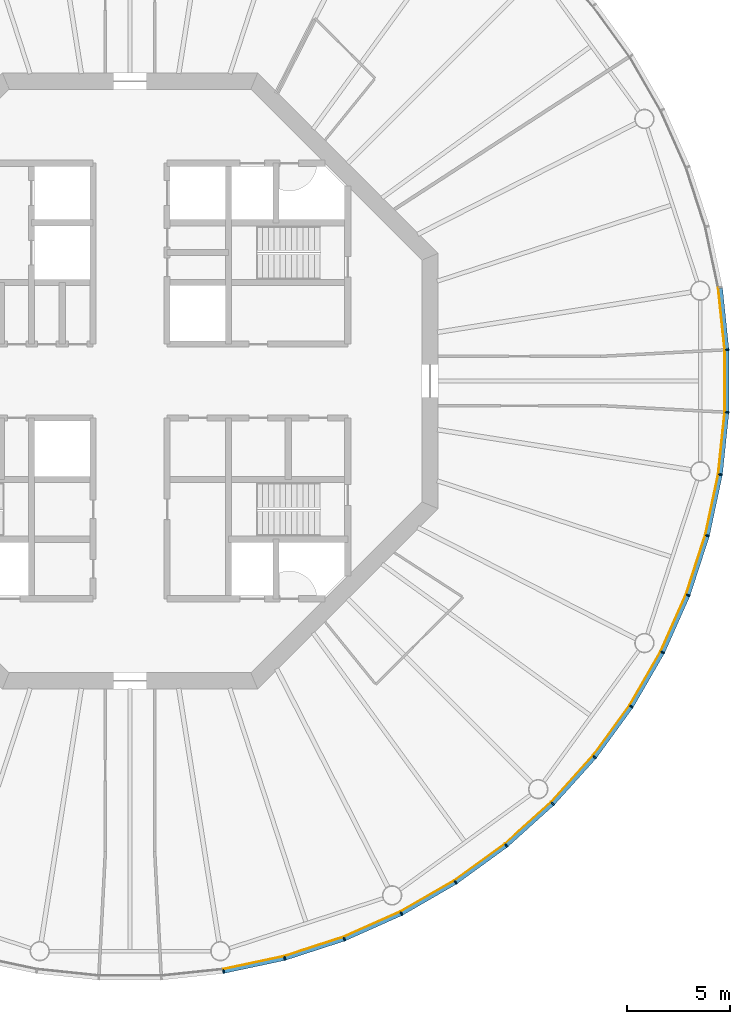
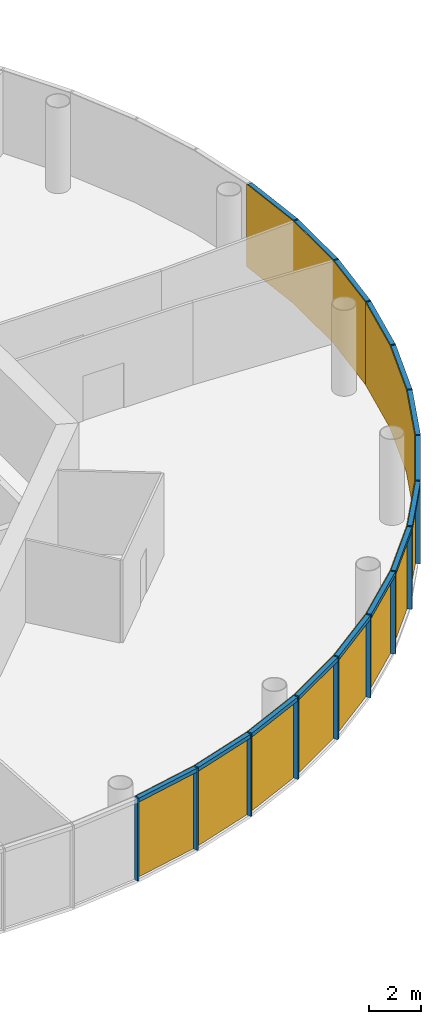
# One storey, part 9 of 13: 30 members, 5 curtain walls.
"""IFC4 building model written with IfcOpenShell, lengths in metres."""

from ifc_helpers import new_model, si_unit, direction, frame, origin, origin_2d, place, context, subcontext, project, spatial, polyline, rectangle, outline, extrude, material, layer, layer_set, material_profile, profile_set, type_object, element, aggregate, save


model = new_model("IFC4")

# Units and contexts
model_context = context("Model", 3, precision=1e-05, world=origin(), true_north=direction((0.0, 1.0)))
body_context = subcontext(model_context, "Body", "Model", "MODEL_VIEW")
ifc_project = project(units=[si_unit("LENGTHUNIT", "METRE"), si_unit("AREAUNIT", "SQUARE_METRE"), si_unit("VOLUMEUNIT", "CUBIC_METRE"), si_unit("PLANEANGLEUNIT", "RADIAN"), si_unit("MASSUNIT", "GRAM", prefix="KILO")], contexts=[model_context])

# Member
ifc_material_1 = material(Name="Anodised aluminium", Category="aluminium")
ifc_material_profile_1 = material_profile(ifc_material_1, rectangle(XDim=0.06494140625, YDim=0.195068359375, at=origin_2d()), Name="Mullion 65 x 195 mm anodised aluminium")
ifc_profile_set_1 = profile_set([ifc_material_profile_1], Name="Anodised aluminium")
member_type_1 = type_object("IfcMemberType", Name="Mullion 65 x 195 mm anodised aluminium", PredefinedType="MULLION", material=ifc_profile_set_1)
site_placement = place(None, origin())
building_placement = place(site_placement, origin())
storey_placement = place(building_placement, frame((0.0, 0.0, 302.0)))
member_1_placement = place(storey_placement, frame((94.5517578125, 51.2607421875, 0.0), z_axis=(0.0, 0.0, 1.0), x_axis=(0.987688340595, 0.15643446504, 0.0)))
member_1 = element("IfcMember", 1, at=member_1_placement, type_object=member_type_1, Name="MULLION L69-45", PredefinedType="MULLION", context=body_context, shape_type="SweptSolid", body=[
    extrude(rectangle(XDim=0.06494140625, YDim=0.195068359375, at=origin_2d()), origin(), (0.0, 0.0, 1.0), 3.85009765625),
])

member_2_placement = place(storey_placement, frame((97.531005859375, 51.89404296875, 0.0), z_axis=(0.0, 0.0, 1.0), x_axis=(0.965925826289, 0.258819045103, 0.0)))
member_2 = element("IfcMember", 2, at=member_2_placement, type_object=member_type_1, Name="MULLION L69-46", PredefinedType="MULLION", context=body_context, shape_type="SweptSolid", body=[
    extrude(rectangle(XDim=0.06494140625, YDim=0.195068359375, at=origin_2d()), origin(), (0.0, 0.0, 1.0), 3.85009765625),
])

member_3_placement = place(storey_placement, frame((100.427490234375, 52.835205078125, 0.0), z_axis=(0.0, 0.0, 1.0), x_axis=(0.933580426497, 0.358367949545, 0.0)))
member_3 = element("IfcMember", 3, at=member_3_placement, type_object=member_type_1, Name="MULLION L69-47", PredefinedType="MULLION", context=body_context, shape_type="SweptSolid", body=[
    extrude(rectangle(XDim=0.06494140625, YDim=0.195068359375, at=origin_2d()), origin(), (0.0, 0.0, 1.0), 3.85009765625),
])

member_4_placement = place(storey_placement, frame((103.2099609375, 54.073974609375, 0.0), z_axis=(0.0, 0.0, 1.0), x_axis=(0.891006524188, 0.45399049974, 0.0)))
member_4 = element("IfcMember", 4, at=member_4_placement, type_object=member_type_1, Name="MULLION L69-48", PredefinedType="MULLION", context=body_context, shape_type="SweptSolid", body=[
    extrude(rectangle(XDim=0.06494140625, YDim=0.195068359375, at=origin_2d()), origin(), (0.0, 0.0, 1.0), 3.85009765625),
])

member_5_placement = place(storey_placement, frame((105.84765625, 55.5966796875, 0.0), z_axis=(0.0, 0.0, 1.0), x_axis=(0.838670567945, 0.544639035015, 0.0)))
member_5 = element("IfcMember", 5, at=member_5_placement, type_object=member_type_1, Name="MULLION L69-49", PredefinedType="MULLION", context=body_context, shape_type="SweptSolid", body=[
    extrude(rectangle(XDim=0.06494140625, YDim=0.195068359375, at=origin_2d()), origin(), (0.0, 0.0, 1.0), 3.85009765625),
])

member_6_placement = place(storey_placement, frame((108.311767578125, 57.386962890625, 0.0), z_axis=(0.0, 0.0, 1.0), x_axis=(0.777145961457, 0.62932039105, 0.0)))
member_6 = element("IfcMember", 6, at=member_6_placement, type_object=member_type_1, Name="MULLION L69-50", PredefinedType="MULLION", context=body_context, shape_type="SweptSolid", body=[
    extrude(rectangle(XDim=0.06494140625, YDim=0.195068359375, at=origin_2d()), origin(), (0.0, 0.0, 1.0), 3.85009765625),
])

member_7_placement = place(storey_placement, frame((110.574951171875, 59.425048828125, 0.0), z_axis=(0.0, 0.0, 1.0), x_axis=(0.707106781187, 0.707106781187, 0.0)))
member_7 = element("IfcMember", 7, at=member_7_placement, type_object=member_type_1, Name="MULLION L69-51", PredefinedType="MULLION", context=body_context, shape_type="SweptSolid", body=[
    extrude(rectangle(XDim=0.06494140625, YDim=0.195068359375, at=origin_2d()), origin(), (0.0, 0.0, 1.0), 3.85009765625),
])

member_8_placement = place(storey_placement, frame((112.613037109375, 61.688232421875, 0.0), z_axis=(0.0, 0.0, 1.0), x_axis=(0.62932039105, 0.777145961457, 0.0)))
member_8 = element("IfcMember", 8, at=member_8_placement, type_object=member_type_1, Name="MULLION L69-52", PredefinedType="MULLION", context=body_context, shape_type="SweptSolid", body=[
    extrude(rectangle(XDim=0.06494140625, YDim=0.195068359375, at=origin_2d()), origin(), (0.0, 0.0, 1.0), 3.85009765625),
])

member_9_placement = place(storey_placement, frame((114.4033203125, 64.15234375, 0.0), z_axis=(0.0, 0.0, 1.0), x_axis=(0.544639035015, 0.838670567945, 0.0)))
member_9 = element("IfcMember", 9, at=member_9_placement, type_object=member_type_1, Name="MULLION L69-53", PredefinedType="MULLION", context=body_context, shape_type="SweptSolid", body=[
    extrude(rectangle(XDim=0.06494140625, YDim=0.195068359375, at=origin_2d()), origin(), (0.0, 0.0, 1.0), 3.85009765625),
])

member_10_placement = place(storey_placement, frame((115.926025390625, 66.7900390625, 0.0), z_axis=(0.0, 0.0, 1.0), x_axis=(0.45399049974, 0.891006524188, 0.0)))
member_10 = element("IfcMember", 10, at=member_10_placement, type_object=member_type_1, Name="MULLION L69-54", PredefinedType="MULLION", context=body_context, shape_type="SweptSolid", body=[
    extrude(rectangle(XDim=0.06494140625, YDim=0.195068359375, at=origin_2d()), origin(), (0.0, 0.0, 1.0), 3.85009765625),
])

member_11_placement = place(storey_placement, frame((117.164794921875, 69.572509765625, 0.0), z_axis=(0.0, 0.0, 1.0), x_axis=(0.358367949545, 0.933580426497, 0.0)))
member_11 = element("IfcMember", 11, at=member_11_placement, type_object=member_type_1, Name="MULLION L69-55", PredefinedType="MULLION", context=body_context, shape_type="SweptSolid", body=[
    extrude(rectangle(XDim=0.06494140625, YDim=0.195068359375, at=origin_2d()), origin(), (0.0, 0.0, 1.0), 3.85009765625),
])

member_12_placement = place(storey_placement, frame((118.10595703125, 72.468994140625, 0.0), z_axis=(0.0, 0.0, 1.0), x_axis=(0.258819045103, 0.965925826289, 0.0)))
member_12 = element("IfcMember", 12, at=member_12_placement, type_object=member_type_1, Name="MULLION L69-56", PredefinedType="MULLION", context=body_context, shape_type="SweptSolid", body=[
    extrude(rectangle(XDim=0.06494140625, YDim=0.195068359375, at=origin_2d()), origin(), (0.0, 0.0, 1.0), 3.85009765625),
])

member_13_placement = place(storey_placement, frame((118.7392578125, 75.4482421875, 0.0), z_axis=(0.0, 0.0, 1.0), x_axis=(0.15643446504, 0.987688340595, 0.0)))
member_13 = element("IfcMember", 13, at=member_13_placement, type_object=member_type_1, Name="MULLION L69-57", PredefinedType="MULLION", context=body_context, shape_type="SweptSolid", body=[
    extrude(rectangle(XDim=0.06494140625, YDim=0.195068359375, at=origin_2d()), origin(), (0.0, 0.0, 1.0), 3.85009765625),
])

member_14_placement = place(storey_placement, frame((119.0576171875, 78.47705078125, 0.0), z_axis=(0.0, 0.0, 1.0), x_axis=(0.052335956243, 0.998629534755, 0.0)))
member_14 = element("IfcMember", 14, at=member_14_placement, type_object=member_type_1, Name="MULLION L69-58", PredefinedType="MULLION", context=body_context, shape_type="SweptSolid", body=[
    extrude(rectangle(XDim=0.06494140625, YDim=0.195068359375, at=origin_2d()), origin(), (0.0, 0.0, 1.0), 3.85009765625),
])

member_15_placement = place(storey_placement, frame((119.0576171875, 81.52294921875, 0.0), z_axis=(0.0, 0.0, 1.0), x_axis=(-0.052335956243, 0.998629534755, 0.0)))
member_15 = element("IfcMember", 15, at=member_15_placement, type_object=member_type_1, Name="MULLION L69-59", PredefinedType="MULLION", context=body_context, shape_type="SweptSolid", body=[
    extrude(rectangle(XDim=0.06494140625, YDim=0.195068359375, at=origin_2d()), origin(), (0.0, 0.0, 1.0), 3.85009765625),
])

ifc_material_2 = material(Name="Anodised aluminium", Category="aluminium")
ifc_material_profile_2 = material_profile(ifc_material_2, rectangle(XDim=0.195068359375, YDim=0.179931640625, at=origin_2d()), Name="Transom 180 x 195 mm anodised aluminium")
ifc_profile_set_2 = profile_set([ifc_material_profile_2], Name="Anodised aluminium")
member_type_2 = type_object("IfcMemberType", Name="Transom 180 x 195 mm anodised aluminium", PredefinedType="USERDEFINED", material=ifc_profile_set_2)
member_16_placement = place(storey_placement, frame((94.588623046875, 51.268310546875, 3.760009765625), z_axis=(0.978141510112, 0.207940342877, 0.0), x_axis=(-0.207940342877, 0.978141510112, 0.0)))
member_16 = element("IfcMember", 16, at=member_16_placement, type_object=member_type_2, Name="TRANSOM L69-45", ObjectType="TRANSOM", PredefinedType="USERDEFINED", context=body_context, shape_type="SweptSolid", body=[
    extrude(rectangle(XDim=0.195068359375, YDim=0.179931640625, at=origin_2d()), origin(), (0.0, 0.0, 1.0), 2.970458984375),
])

member_17_placement = place(storey_placement, frame((97.56689453125, 51.905517578125, 3.760009765625), z_axis=(0.951047960094, 0.309043326415, 0.0), x_axis=(-0.309043326415, 0.951047960094, 0.0)))
member_17 = element("IfcMember", 17, at=member_17_placement, type_object=member_type_2, Name="TRANSOM L69-46", ObjectType="TRANSOM", PredefinedType="USERDEFINED", context=body_context, shape_type="SweptSolid", body=[
    extrude(rectangle(XDim=0.195068359375, YDim=0.179931640625, at=origin_2d()), origin(), (0.0, 0.0, 1.0), 2.970458984375),
])

member_18_placement = place(storey_placement, frame((100.4619140625, 52.850341796875, 3.760009765625), z_axis=(0.913550406593, 0.406725527369, 0.0), x_axis=(-0.406725527369, 0.913550406593, 0.0)))
member_18 = element("IfcMember", 18, at=member_18_placement, type_object=member_type_2, Name="TRANSOM L69-47", ObjectType="TRANSOM", PredefinedType="USERDEFINED", context=body_context, shape_type="SweptSolid", body=[
    extrude(rectangle(XDim=0.195068359375, YDim=0.179931640625, at=origin_2d()), origin(), (0.0, 0.0, 1.0), 2.970703125),
])

member_19_placement = place(storey_placement, frame((103.24267578125, 54.092529296875, 3.760009765625), z_axis=(0.866009025146, 0.500028367561, 0.0), x_axis=(-0.500028367561, 0.866009025146, 0.0)))
member_19 = element("IfcMember", 19, at=member_19_placement, type_object=member_type_2, Name="TRANSOM L69-48", ObjectType="TRANSOM", PredefinedType="USERDEFINED", context=body_context, shape_type="SweptSolid", body=[
    extrude(rectangle(XDim=0.195068359375, YDim=0.179931640625, at=origin_2d()), origin(), (0.0, 0.0, 1.0), 2.970458984375),
])

member_20_placement = place(storey_placement, frame((105.878173828125, 55.618896484375, 3.760009765625), z_axis=(0.809030990733, 0.587765987476, 0.0), x_axis=(-0.587765987476, 0.809030990733, 0.0)))
member_20 = element("IfcMember", 20, at=member_20_placement, type_object=member_type_2, Name="TRANSOM L69-49", ObjectType="TRANSOM", PredefinedType="USERDEFINED", context=body_context, shape_type="SweptSolid", body=[
    extrude(rectangle(XDim=0.195068359375, YDim=0.179931640625, at=origin_2d()), origin(), (0.0, 0.0, 1.0), 2.97021484375),
])

member_21_placement = place(storey_placement, frame((108.339599609375, 57.412109375, 3.760009765625), z_axis=(0.743163354343, 0.669110027395, 0.0), x_axis=(-0.669110027395, 0.743163354343, 0.0)))
member_21 = element("IfcMember", 21, at=member_21_placement, type_object=member_type_2, Name="TRANSOM L69-50", ObjectType="TRANSOM", PredefinedType="USERDEFINED", context=body_context, shape_type="SweptSolid", body=[
    extrude(rectangle(XDim=0.195068359375, YDim=0.179931640625, at=origin_2d()), origin(), (0.0, 0.0, 1.0), 2.970458984375),
])

member_22_placement = place(storey_placement, frame((110.600341796875, 59.452880859375, 3.760009765625), z_axis=(0.669110027395, 0.743163354343, 0.0), x_axis=(-0.743163354343, 0.669110027395, 0.0)))
member_22 = element("IfcMember", 22, at=member_22_placement, type_object=member_type_2, Name="TRANSOM L69-51", ObjectType="TRANSOM", PredefinedType="USERDEFINED", context=body_context, shape_type="SweptSolid", body=[
    extrude(rectangle(XDim=0.195068359375, YDim=0.179931640625, at=origin_2d()), origin(), (0.0, 0.0, 1.0), 2.970458984375),
])

member_23_placement = place(storey_placement, frame((112.63525390625, 61.71875, 3.760009765625), z_axis=(0.587765987476, 0.809030990733, 0.0), x_axis=(-0.809030990733, 0.587765987476, 0.0)))
member_23 = element("IfcMember", 23, at=member_23_placement, type_object=member_type_2, Name="TRANSOM L69-52", ObjectType="TRANSOM", PredefinedType="USERDEFINED", context=body_context, shape_type="SweptSolid", body=[
    extrude(rectangle(XDim=0.195068359375, YDim=0.179931640625, at=origin_2d()), origin(), (0.0, 0.0, 1.0), 2.97021484375),
])

member_24_placement = place(storey_placement, frame((114.422119140625, 64.184814453125, 3.760009765625), z_axis=(0.500028367561, 0.866009025146, 0.0), x_axis=(-0.866009025146, 0.500028367561, 0.0)))
member_24 = element("IfcMember", 24, at=member_24_placement, type_object=member_type_2, Name="TRANSOM L69-53", ObjectType="TRANSOM", PredefinedType="USERDEFINED", context=body_context, shape_type="SweptSolid", body=[
    extrude(rectangle(XDim=0.195068359375, YDim=0.179931640625, at=origin_2d()), origin(), (0.0, 0.0, 1.0), 2.970458984375),
])

member_25_placement = place(storey_placement, frame((115.94140625, 66.82421875, 3.760009765625), z_axis=(0.406725527369, 0.913550406593, 0.0), x_axis=(-0.913550406593, 0.406725527369, 0.0)))
member_25 = element("IfcMember", 25, at=member_25_placement, type_object=member_type_2, Name="TRANSOM L69-54", ObjectType="TRANSOM", PredefinedType="USERDEFINED", context=body_context, shape_type="SweptSolid", body=[
    extrude(rectangle(XDim=0.195068359375, YDim=0.179931640625, at=origin_2d()), origin(), (0.0, 0.0, 1.0), 2.970703125),
])

member_26_placement = place(storey_placement, frame((117.176513671875, 69.608154296875, 3.760009765625), z_axis=(0.309043326415, 0.951047960094, 0.0), x_axis=(-0.951047960094, 0.309043326415, 0.0)))
member_26 = element("IfcMember", 26, at=member_26_placement, type_object=member_type_2, Name="TRANSOM L69-55", ObjectType="TRANSOM", PredefinedType="USERDEFINED", context=body_context, shape_type="SweptSolid", body=[
    extrude(rectangle(XDim=0.195068359375, YDim=0.179931640625, at=origin_2d()), origin(), (0.0, 0.0, 1.0), 2.970458984375),
])

member_27_placement = place(storey_placement, frame((118.114013671875, 72.505859375, 3.760009765625), z_axis=(0.207940342877, 0.978141510112, 0.0), x_axis=(-0.978141510112, 0.207940342877, 0.0)))
member_27 = element("IfcMember", 27, at=member_27_placement, type_object=member_type_2, Name="TRANSOM L69-56", ObjectType="TRANSOM", PredefinedType="USERDEFINED", context=body_context, shape_type="SweptSolid", body=[
    extrude(rectangle(XDim=0.195068359375, YDim=0.179931640625, at=origin_2d()), origin(), (0.0, 0.0, 1.0), 2.970458984375),
])

member_28_placement = place(storey_placement, frame((118.743408203125, 75.485595703125, 3.760009765625), z_axis=(0.104466577987, 0.994528397827, 0.0), x_axis=(-0.994528397827, 0.104466577987, 0.0)))
member_28 = element("IfcMember", 28, at=member_28_placement, type_object=member_type_2, Name="TRANSOM L69-57", ObjectType="TRANSOM", PredefinedType="USERDEFINED", context=body_context, shape_type="SweptSolid", body=[
    extrude(rectangle(XDim=0.195068359375, YDim=0.179931640625, at=origin_2d()), origin(), (0.0, 0.0, 1.0), 2.970458984375),
])

member_29_placement = place(storey_placement, frame((119.057861328125, 78.5146484375, 3.760009765625), z_axis=(0.0, 1.0, 0.0), x_axis=(-1.0, 0.0, 0.0)))
member_29 = element("IfcMember", 29, at=member_29_placement, type_object=member_type_2, Name="TRANSOM L69-58", ObjectType="TRANSOM", PredefinedType="USERDEFINED", context=body_context, shape_type="SweptSolid", body=[
    extrude(rectangle(XDim=0.195068359375, YDim=0.179931640625, at=origin_2d()), origin(), (0.0, 0.0, 1.0), 2.970703125),
])

member_30_placement = place(storey_placement, frame((119.0537109375, 81.560302734375, 3.760009765625), z_axis=(-0.104466577987, 0.994528397827, 0.0), x_axis=(-0.994528397827, -0.104466577987, 0.0)))
member_30 = element("IfcMember", 30, at=member_30_placement, type_object=member_type_2, Name="TRANSOM L69-59", ObjectType="TRANSOM", PredefinedType="USERDEFINED", context=body_context, shape_type="SweptSolid", body=[
    extrude(rectangle(XDim=0.195068359375, YDim=0.179931640625, at=origin_2d()), origin(), (0.0, 0.0, 1.0), 2.970458984375),
])

# Site, building, storey
site = spatial("IfcSite", under=ifc_project, at=site_placement, CompositionType="ELEMENT")
building = spatial("IfcBuilding", under=site, at=building_placement, Name="Entoto Ring Tower", CompositionType="ELEMENT")
storey = spatial("IfcBuildingStorey", under=building, at=storey_placement, Name="L69", CompositionType="ELEMENT", Elevation=302.0)

# Curtain wall
ifc_material_3 = material(Name="Clear low-iron glass", Category="glass")
ifc_layer = layer(ifc_material_3, 0.033935546875)
ifc_layer_set = layer_set([ifc_layer], Name="Clear low-iron glass")
curtain_wall_type = type_object("IfcCurtainWallType", Name="Curtain wall system CW5 glazing 34 mm", PredefinedType="NOTDEFINED", material=ifc_layer_set)
curtain_wall_1_placement = place(storey_placement, origin())
curtain_wall_1 = element("IfcCurtainWall", 31, at=curtain_wall_1_placement, inside=storey, type_object=curtain_wall_type, Name="CW5 L69-16", PredefinedType="NOTDEFINED", context=body_context, shape_type="SweptSolid", body=[
    extrude(outline(polyline([(94.53662109375, 51.35693359375), (97.505859375, 51.988037109375), (100.392578125, 52.92626953125), (103.165771484375, 54.160888671875), (103.150146484375, 54.191162109375), (100.38037109375, 52.9580078125), (97.496826171875, 52.02099609375), (94.53125, 51.390625), (94.53662109375, 51.35693359375)])), origin(), (0.0, 0.0, 1.0), 3.85009765625),
])

aggregate(curtain_wall_1, [member_1, member_2, member_3, member_16, member_17, member_18])

curtain_wall_2_placement = place(storey_placement, origin())
curtain_wall_2 = element("IfcCurtainWall", 32, at=curtain_wall_2_placement, inside=storey, type_object=curtain_wall_type, Name="CW5 L69-17", PredefinedType="NOTDEFINED", context=body_context, shape_type="SweptSolid", body=[
    extrude(outline(polyline([(103.165771484375, 54.160888671875), (105.79443359375, 55.678466796875), (108.250244140625, 57.462646484375), (110.506103515625, 59.493896484375), (110.48193359375, 59.51806640625), (108.228759765625, 57.4892578125), (105.77587890625, 55.70703125), (103.150146484375, 54.191162109375), (103.165771484375, 54.160888671875)])), origin(), (0.0, 0.0, 1.0), 3.85009765625),
])

aggregate(curtain_wall_2, [member_4, member_5, member_6, member_19, member_20, member_21])

curtain_wall_3_placement = place(storey_placement, origin())
curtain_wall_3 = element("IfcCurtainWall", 33, at=curtain_wall_3_placement, inside=storey, type_object=curtain_wall_type, Name="CW5 L69-18", PredefinedType="NOTDEFINED", context=body_context, shape_type="SweptSolid", body=[
    extrude(outline(polyline([(110.506103515625, 59.493896484375), (112.537353515625, 61.749755859375), (114.321533203125, 64.20556640625), (115.839111328125, 66.834228515625), (115.808837890625, 66.849853515625), (114.29296875, 64.22412109375), (112.5107421875, 61.771240234375), (110.48193359375, 59.51806640625), (110.506103515625, 59.493896484375)])), origin(), (0.0, 0.0, 1.0), 3.85009765625),
])

aggregate(curtain_wall_3, [member_7, member_8, member_9, member_22, member_23, member_24])

curtain_wall_4_placement = place(storey_placement, origin())
curtain_wall_4 = element("IfcCurtainWall", 34, at=curtain_wall_4_placement, inside=storey, type_object=curtain_wall_type, Name="CW5 L69-19", PredefinedType="NOTDEFINED", context=body_context, shape_type="SweptSolid", body=[
    extrude(outline(polyline([(115.839111328125, 66.834228515625), (117.07373046875, 69.607421875), (118.011962890625, 72.494140625), (118.64306640625, 75.46337890625), (118.609375, 75.46875), (117.97900390625, 72.503173828125), (117.0419921875, 69.61962890625), (115.808837890625, 66.849853515625), (115.839111328125, 66.834228515625)])), origin(), (0.0, 0.0, 1.0), 3.85009765625),
])

aggregate(curtain_wall_4, [member_10, member_11, member_12, member_25, member_26, member_27])

curtain_wall_5_placement = place(storey_placement, origin())
curtain_wall_5 = element("IfcCurtainWall", 35, at=curtain_wall_5_placement, inside=storey, type_object=curtain_wall_type, Name="CW5 L69-20", PredefinedType="NOTDEFINED", context=body_context, shape_type="SweptSolid", body=[
    extrude(outline(polyline([(118.64306640625, 75.46337890625), (118.960205078125, 78.482177734375), (118.960205078125, 81.517822265625), (118.64306640625, 84.53662109375), (118.609375, 84.53125), (118.92626953125, 81.515869140625), (118.92626953125, 78.484130859375), (118.609375, 75.46875), (118.64306640625, 75.46337890625)])), origin(), (0.0, 0.0, 1.0), 3.85009765625),
])

aggregate(curtain_wall_5, [member_13, member_14, member_15, member_28, member_29, member_30])

save(model, "model.ifc")
